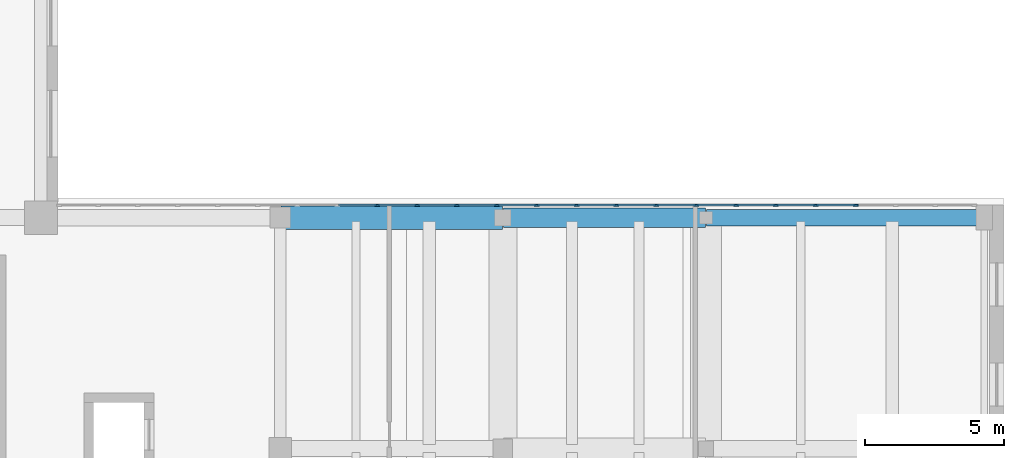
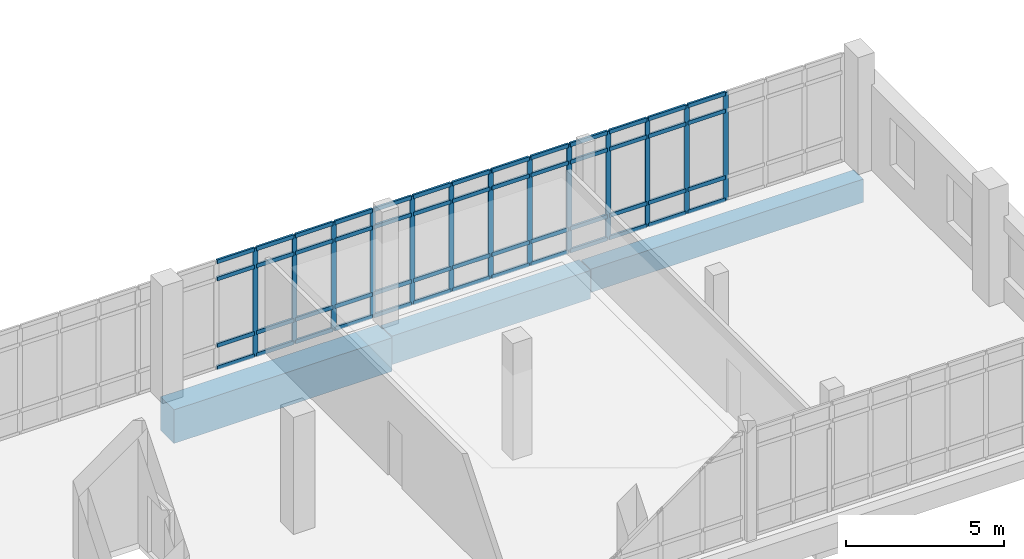
# One storey, part 41 of 89: 65 members, 3 beams, 1 element without a shape of its own.
"""IFC4 building model written with IfcOpenShell, lengths in metres."""

from ifc_helpers import new_model, si_unit, direction, frame, origin, origin_2d, place, context, subcontext, project, spatial, rectangle, extrude, material, material_profile, profile_set, type_object, element, aggregate, save


model = new_model("IFC4")

# Units and contexts
model_context = context("Model", 3, precision=1e-05, world=origin(), true_north=direction((0.0, 1.0)))
body_context = subcontext(model_context, "Body", "Model", "MODEL_VIEW")
ifc_project = project(units=[si_unit("LENGTHUNIT", "METRE"), si_unit("AREAUNIT", "SQUARE_METRE"), si_unit("VOLUMEUNIT", "CUBIC_METRE"), si_unit("PLANEANGLEUNIT", "RADIAN"), si_unit("MASSUNIT", "GRAM", prefix="KILO")], contexts=[model_context])

# Site, building, storey
site_placement = place(None, origin())
site = spatial("IfcSite", under=ifc_project, at=site_placement, CompositionType="ELEMENT")
building_placement = place(site_placement, origin())
building = spatial("IfcBuilding", under=site, at=building_placement, Name="Soyqirgoq Riverine Aquarium", CompositionType="ELEMENT")
storey_placement = place(building_placement, frame((0.0, 0.0, 5.39990234375)))
storey = spatial("IfcBuildingStorey", under=building, at=storey_placement, Name="L02", CompositionType="ELEMENT", Elevation=5.39990234375)

# Curtain wall, members
ifc_material_1 = material(Name="Anodised aluminium thermally broken gallery curtain wall", Category="aluminium")
curtain_wall_type = type_object("IfcCurtainWallType", Name="CW_Pavilion_Ribbon", PredefinedType="NOTDEFINED", material=ifc_material_1)
curtain_wall_placement = place(storey_placement, origin())
curtain_wall = element("IfcCurtainWall", 1, at=curtain_wall_placement, inside=storey, type_object=curtain_wall_type, Name="V6 L02 Curtain Wall 112", PredefinedType="NOTDEFINED")
ifc_material_2 = material(Name="Anodised aluminium 6063-T6", Category="aluminium")
ifc_material_profile_1 = material_profile(ifc_material_2, rectangle(XDim=0.06494140625, YDim=0.179931640625, at=origin_2d()), Name="ALU-M 65x180")
ifc_profile_set_1 = profile_set([ifc_material_profile_1], Name="Anodised aluminium 6063-T6")
member_type_1 = type_object("IfcMemberType", Name="CWMullion_65x180", PredefinedType="MULLION", material=ifc_profile_set_1)
member_1_placement = place(storey_placement, frame((141.484375, 18.25, 0.0), z_axis=(0.0, 0.0, 1.0), x_axis=(0.0, 1.0, 0.0)))
member_1 = element("IfcMember", 2, at=member_1_placement, type_object=member_type_1, Name="CW-05 mullion 9", PredefinedType="MULLION", context=body_context, shape_type="SweptSolid", body=[
    extrude(rectangle(XDim=0.06494140625, YDim=0.179931640625, at=origin_2d()), origin(), (0.0, 0.0, 1.0), 4.170166015625),
])
member_2_placement = place(storey_placement, frame((142.91748046875, 18.25, 0.0), z_axis=(0.0, 0.0, 1.0), x_axis=(0.0, 1.0, 0.0)))
member_2 = element("IfcMember", 3, at=member_2_placement, type_object=member_type_1, Name="CW-05 mullion 10", PredefinedType="MULLION", context=body_context, shape_type="SweptSolid", body=[
    extrude(rectangle(XDim=0.06494140625, YDim=0.179931640625, at=origin_2d()), origin(), (0.0, 0.0, 1.0), 4.170166015625),
])
member_3_placement = place(storey_placement, frame((144.350341796875, 18.25, 0.0), z_axis=(0.0, 0.0, 1.0), x_axis=(0.0, 1.0, 0.0)))
member_3 = element("IfcMember", 4, at=member_3_placement, type_object=member_type_1, Name="CW-05 mullion 11", PredefinedType="MULLION", context=body_context, shape_type="SweptSolid", body=[
    extrude(rectangle(XDim=0.06494140625, YDim=0.179931640625, at=origin_2d()), origin(), (0.0, 0.0, 1.0), 4.170166015625),
])
member_4_placement = place(storey_placement, frame((145.783447265625, 18.25, 0.0), z_axis=(0.0, 0.0, 1.0), x_axis=(0.0, 1.0, 0.0)))
member_4 = element("IfcMember", 5, at=member_4_placement, type_object=member_type_1, Name="CW-05 mullion 12", PredefinedType="MULLION", context=body_context, shape_type="SweptSolid", body=[
    extrude(rectangle(XDim=0.06494140625, YDim=0.179931640625, at=origin_2d()), origin(), (0.0, 0.0, 1.0), 4.170166015625),
])
member_5_placement = place(storey_placement, frame((147.216552734375, 18.25, 0.0), z_axis=(0.0, 0.0, 1.0), x_axis=(0.0, 1.0, 0.0)))
member_5 = element("IfcMember", 6, at=member_5_placement, type_object=member_type_1, Name="CW-05 mullion 13", PredefinedType="MULLION", context=body_context, shape_type="SweptSolid", body=[
    extrude(rectangle(XDim=0.06494140625, YDim=0.179931640625, at=origin_2d()), origin(), (0.0, 0.0, 1.0), 4.170166015625),
])
member_6_placement = place(storey_placement, frame((148.649658203125, 18.25, 0.0), z_axis=(0.0, 0.0, 1.0), x_axis=(0.0, 1.0, 0.0)))
member_6 = element("IfcMember", 7, at=member_6_placement, type_object=member_type_1, Name="CW-05 mullion 14", PredefinedType="MULLION", context=body_context, shape_type="SweptSolid", body=[
    extrude(rectangle(XDim=0.06494140625, YDim=0.179931640625, at=origin_2d()), origin(), (0.0, 0.0, 1.0), 4.170166015625),
])
member_7_placement = place(storey_placement, frame((150.08251953125, 18.25, 0.0), z_axis=(0.0, 0.0, 1.0), x_axis=(0.0, 1.0, 0.0)))
member_7 = element("IfcMember", 8, at=member_7_placement, type_object=member_type_1, Name="CW-05 mullion 15", PredefinedType="MULLION", context=body_context, shape_type="SweptSolid", body=[
    extrude(rectangle(XDim=0.06494140625, YDim=0.179931640625, at=origin_2d()), origin(), (0.0, 0.0, 1.0), 4.170166015625),
])
member_8_placement = place(storey_placement, frame((151.515625, 18.25, 0.0), z_axis=(0.0, 0.0, 1.0), x_axis=(0.0, 1.0, 0.0)))
member_8 = element("IfcMember", 9, at=member_8_placement, type_object=member_type_1, Name="CW-05 mullion 16", PredefinedType="MULLION", context=body_context, shape_type="SweptSolid", body=[
    extrude(rectangle(XDim=0.06494140625, YDim=0.179931640625, at=origin_2d()), origin(), (0.0, 0.0, 1.0), 4.170166015625),
])
member_9_placement = place(storey_placement, frame((152.94873046875, 18.25, 0.0), z_axis=(0.0, 0.0, 1.0), x_axis=(0.0, 1.0, 0.0)))
member_9 = element("IfcMember", 10, at=member_9_placement, type_object=member_type_1, Name="CW-05 mullion 17", PredefinedType="MULLION", context=body_context, shape_type="SweptSolid", body=[
    extrude(rectangle(XDim=0.06494140625, YDim=0.179931640625, at=origin_2d()), origin(), (0.0, 0.0, 1.0), 4.170166015625),
])
member_10_placement = place(storey_placement, frame((154.3818359375, 18.25, 0.0), z_axis=(0.0, 0.0, 1.0), x_axis=(0.0, 1.0, 0.0)))
member_10 = element("IfcMember", 11, at=member_10_placement, type_object=member_type_1, Name="CW-05 mullion 18", PredefinedType="MULLION", context=body_context, shape_type="SweptSolid", body=[
    extrude(rectangle(XDim=0.06494140625, YDim=0.179931640625, at=origin_2d()), origin(), (0.0, 0.0, 1.0), 4.170166015625),
])
member_11_placement = place(storey_placement, frame((155.814697265625, 18.25, 0.0), z_axis=(0.0, 0.0, 1.0), x_axis=(0.0, 1.0, 0.0)))
member_11 = element("IfcMember", 12, at=member_11_placement, type_object=member_type_1, Name="CW-05 mullion 19", PredefinedType="MULLION", context=body_context, shape_type="SweptSolid", body=[
    extrude(rectangle(XDim=0.06494140625, YDim=0.179931640625, at=origin_2d()), origin(), (0.0, 0.0, 1.0), 4.170166015625),
])
member_12_placement = place(storey_placement, frame((157.247802734375, 18.25, 0.0), z_axis=(0.0, 0.0, 1.0), x_axis=(0.0, 1.0, 0.0)))
member_12 = element("IfcMember", 13, at=member_12_placement, type_object=member_type_1, Name="CW-05 mullion 20", PredefinedType="MULLION", context=body_context, shape_type="SweptSolid", body=[
    extrude(rectangle(XDim=0.06494140625, YDim=0.179931640625, at=origin_2d()), origin(), (0.0, 0.0, 1.0), 4.170166015625),
])
member_13_placement = place(storey_placement, frame((158.680908203125, 18.25, 0.0), z_axis=(0.0, 0.0, 1.0), x_axis=(0.0, 1.0, 0.0)))
member_13 = element("IfcMember", 14, at=member_13_placement, type_object=member_type_1, Name="CW-05 mullion 21", PredefinedType="MULLION", context=body_context, shape_type="SweptSolid", body=[
    extrude(rectangle(XDim=0.06494140625, YDim=0.179931640625, at=origin_2d()), origin(), (0.0, 0.0, 1.0), 4.170166015625),
])
ifc_material_3 = material(Name="Anodised aluminium 6063-T6", Category="aluminium")
ifc_material_profile_2 = material_profile(ifc_material_3, rectangle(XDim=0.074951171875, YDim=0.14990234375, at=origin_2d()), Name="ALU-T 75x150")
ifc_profile_set_2 = profile_set([ifc_material_profile_2], Name="Anodised aluminium 6063-T6")
member_type_2 = type_object("IfcMemberType", Name="CWTransom_75x150", PredefinedType="USERDEFINED", material=ifc_profile_set_2)
member_14_placement = place(storey_placement, frame((140.083740234375, 18.25, 0.03759765625), z_axis=(1.0, 0.0, 0.0), x_axis=(0.0, 1.0, 0.0)))
member_14 = element("IfcMember", 15, at=member_14_placement, type_object=member_type_2, Name="CW-05 transom 8.1", ObjectType="TRANSOM", PredefinedType="USERDEFINED", context=body_context, shape_type="SweptSolid", body=[
    extrude(rectangle(XDim=0.074951171875, YDim=0.14990234375, at=origin_2d()), origin(), (0.0, 0.0, 1.0), 1.3681640625),
])
member_15_placement = place(storey_placement, frame((140.083740234375, 18.25, 0.900146484375), z_axis=(1.0, 0.0, 0.0), x_axis=(0.0, 1.0, 0.0)))
member_15 = element("IfcMember", 16, at=member_15_placement, type_object=member_type_2, Name="CW-05 transom 8.2", ObjectType="TRANSOM", PredefinedType="USERDEFINED", context=body_context, shape_type="SweptSolid", body=[
    extrude(rectangle(XDim=0.074951171875, YDim=0.14990234375, at=origin_2d()), origin(), (0.0, 0.0, 1.0), 1.3681640625),
])
member_16_placement = place(storey_placement, frame((140.083740234375, 18.25, 3.47021484375), z_axis=(1.0, 0.0, 0.0), x_axis=(0.0, 1.0, 0.0)))
member_16 = element("IfcMember", 17, at=member_16_placement, type_object=member_type_2, Name="CW-05 transom 8.3", ObjectType="TRANSOM", PredefinedType="USERDEFINED", context=body_context, shape_type="SweptSolid", body=[
    extrude(rectangle(XDim=0.074951171875, YDim=0.14990234375, at=origin_2d()), origin(), (0.0, 0.0, 1.0), 1.3681640625),
])
member_17_placement = place(storey_placement, frame((140.083740234375, 18.25, 4.132568359375), z_axis=(1.0, 0.0, 0.0), x_axis=(0.0, 1.0, 0.0)))
member_17 = element("IfcMember", 18, at=member_17_placement, type_object=member_type_2, Name="CW-05 transom 8.4", ObjectType="TRANSOM", PredefinedType="USERDEFINED", context=body_context, shape_type="SweptSolid", body=[
    extrude(rectangle(XDim=0.074951171875, YDim=0.14990234375, at=origin_2d()), origin(), (0.0, 0.0, 1.0), 1.3681640625),
])
member_18_placement = place(storey_placement, frame((141.516845703125, 18.25, 0.03759765625), z_axis=(1.0, 0.0, 0.0), x_axis=(0.0, 1.0, 0.0)))
member_18 = element("IfcMember", 19, at=member_18_placement, type_object=member_type_2, Name="CW-05 transom 9.1", ObjectType="TRANSOM", PredefinedType="USERDEFINED", context=body_context, shape_type="SweptSolid", body=[
    extrude(rectangle(XDim=0.074951171875, YDim=0.14990234375, at=origin_2d()), origin(), (0.0, 0.0, 1.0), 1.3681640625),
])
member_19_placement = place(storey_placement, frame((141.516845703125, 18.25, 0.900146484375), z_axis=(1.0, 0.0, 0.0), x_axis=(0.0, 1.0, 0.0)))
member_19 = element("IfcMember", 20, at=member_19_placement, type_object=member_type_2, Name="CW-05 transom 9.2", ObjectType="TRANSOM", PredefinedType="USERDEFINED", context=body_context, shape_type="SweptSolid", body=[
    extrude(rectangle(XDim=0.074951171875, YDim=0.14990234375, at=origin_2d()), origin(), (0.0, 0.0, 1.0), 1.3681640625),
])
member_20_placement = place(storey_placement, frame((141.516845703125, 18.25, 3.47021484375), z_axis=(1.0, 0.0, 0.0), x_axis=(0.0, 1.0, 0.0)))
member_20 = element("IfcMember", 21, at=member_20_placement, type_object=member_type_2, Name="CW-05 transom 9.3", ObjectType="TRANSOM", PredefinedType="USERDEFINED", context=body_context, shape_type="SweptSolid", body=[
    extrude(rectangle(XDim=0.074951171875, YDim=0.14990234375, at=origin_2d()), origin(), (0.0, 0.0, 1.0), 1.3681640625),
])
member_21_placement = place(storey_placement, frame((141.516845703125, 18.25, 4.132568359375), z_axis=(1.0, 0.0, 0.0), x_axis=(0.0, 1.0, 0.0)))
member_21 = element("IfcMember", 22, at=member_21_placement, type_object=member_type_2, Name="CW-05 transom 9.4", ObjectType="TRANSOM", PredefinedType="USERDEFINED", context=body_context, shape_type="SweptSolid", body=[
    extrude(rectangle(XDim=0.074951171875, YDim=0.14990234375, at=origin_2d()), origin(), (0.0, 0.0, 1.0), 1.3681640625),
])
member_22_placement = place(storey_placement, frame((142.949951171875, 18.25, 0.03759765625), z_axis=(1.0, 0.0, 0.0), x_axis=(0.0, 1.0, 0.0)))
member_22 = element("IfcMember", 23, at=member_22_placement, type_object=member_type_2, Name="CW-05 transom 10.1", ObjectType="TRANSOM", PredefinedType="USERDEFINED", context=body_context, shape_type="SweptSolid", body=[
    extrude(rectangle(XDim=0.074951171875, YDim=0.14990234375, at=origin_2d()), origin(), (0.0, 0.0, 1.0), 1.367919921875),
])
member_23_placement = place(storey_placement, frame((142.949951171875, 18.25, 0.900146484375), z_axis=(1.0, 0.0, 0.0), x_axis=(0.0, 1.0, 0.0)))
member_23 = element("IfcMember", 24, at=member_23_placement, type_object=member_type_2, Name="CW-05 transom 10.2", ObjectType="TRANSOM", PredefinedType="USERDEFINED", context=body_context, shape_type="SweptSolid", body=[
    extrude(rectangle(XDim=0.074951171875, YDim=0.14990234375, at=origin_2d()), origin(), (0.0, 0.0, 1.0), 1.367919921875),
])
member_24_placement = place(storey_placement, frame((142.949951171875, 18.25, 3.47021484375), z_axis=(1.0, 0.0, 0.0), x_axis=(0.0, 1.0, 0.0)))
member_24 = element("IfcMember", 25, at=member_24_placement, type_object=member_type_2, Name="CW-05 transom 10.3", ObjectType="TRANSOM", PredefinedType="USERDEFINED", context=body_context, shape_type="SweptSolid", body=[
    extrude(rectangle(XDim=0.074951171875, YDim=0.14990234375, at=origin_2d()), origin(), (0.0, 0.0, 1.0), 1.367919921875),
])
member_25_placement = place(storey_placement, frame((142.949951171875, 18.25, 4.132568359375), z_axis=(1.0, 0.0, 0.0), x_axis=(0.0, 1.0, 0.0)))
member_25 = element("IfcMember", 26, at=member_25_placement, type_object=member_type_2, Name="CW-05 transom 10.4", ObjectType="TRANSOM", PredefinedType="USERDEFINED", context=body_context, shape_type="SweptSolid", body=[
    extrude(rectangle(XDim=0.074951171875, YDim=0.14990234375, at=origin_2d()), origin(), (0.0, 0.0, 1.0), 1.367919921875),
])
member_26_placement = place(storey_placement, frame((144.383056640625, 18.25, 0.03759765625), z_axis=(1.0, 0.0, 0.0), x_axis=(0.0, 1.0, 0.0)))
member_26 = element("IfcMember", 27, at=member_26_placement, type_object=member_type_2, Name="CW-05 transom 11.1", ObjectType="TRANSOM", PredefinedType="USERDEFINED", context=body_context, shape_type="SweptSolid", body=[
    extrude(rectangle(XDim=0.074951171875, YDim=0.14990234375, at=origin_2d()), origin(), (0.0, 0.0, 1.0), 1.367919921875),
])
member_27_placement = place(storey_placement, frame((144.383056640625, 18.25, 0.900146484375), z_axis=(1.0, 0.0, 0.0), x_axis=(0.0, 1.0, 0.0)))
member_27 = element("IfcMember", 28, at=member_27_placement, type_object=member_type_2, Name="CW-05 transom 11.2", ObjectType="TRANSOM", PredefinedType="USERDEFINED", context=body_context, shape_type="SweptSolid", body=[
    extrude(rectangle(XDim=0.074951171875, YDim=0.14990234375, at=origin_2d()), origin(), (0.0, 0.0, 1.0), 1.367919921875),
])
member_28_placement = place(storey_placement, frame((144.383056640625, 18.25, 3.47021484375), z_axis=(1.0, 0.0, 0.0), x_axis=(0.0, 1.0, 0.0)))
member_28 = element("IfcMember", 29, at=member_28_placement, type_object=member_type_2, Name="CW-05 transom 11.3", ObjectType="TRANSOM", PredefinedType="USERDEFINED", context=body_context, shape_type="SweptSolid", body=[
    extrude(rectangle(XDim=0.074951171875, YDim=0.14990234375, at=origin_2d()), origin(), (0.0, 0.0, 1.0), 1.367919921875),
])
member_29_placement = place(storey_placement, frame((144.383056640625, 18.25, 4.132568359375), z_axis=(1.0, 0.0, 0.0), x_axis=(0.0, 1.0, 0.0)))
member_29 = element("IfcMember", 30, at=member_29_placement, type_object=member_type_2, Name="CW-05 transom 11.4", ObjectType="TRANSOM", PredefinedType="USERDEFINED", context=body_context, shape_type="SweptSolid", body=[
    extrude(rectangle(XDim=0.074951171875, YDim=0.14990234375, at=origin_2d()), origin(), (0.0, 0.0, 1.0), 1.367919921875),
])
member_30_placement = place(storey_placement, frame((145.81591796875, 18.25, 0.03759765625), z_axis=(1.0, 0.0, 0.0), x_axis=(0.0, 1.0, 0.0)))
member_30 = element("IfcMember", 31, at=member_30_placement, type_object=member_type_2, Name="CW-05 transom 12.1", ObjectType="TRANSOM", PredefinedType="USERDEFINED", context=body_context, shape_type="SweptSolid", body=[
    extrude(rectangle(XDim=0.074951171875, YDim=0.14990234375, at=origin_2d()), origin(), (0.0, 0.0, 1.0), 1.3681640625),
])
member_31_placement = place(storey_placement, frame((145.81591796875, 18.25, 0.900146484375), z_axis=(1.0, 0.0, 0.0), x_axis=(0.0, 1.0, 0.0)))
member_31 = element("IfcMember", 32, at=member_31_placement, type_object=member_type_2, Name="CW-05 transom 12.2", ObjectType="TRANSOM", PredefinedType="USERDEFINED", context=body_context, shape_type="SweptSolid", body=[
    extrude(rectangle(XDim=0.074951171875, YDim=0.14990234375, at=origin_2d()), origin(), (0.0, 0.0, 1.0), 1.3681640625),
])
member_32_placement = place(storey_placement, frame((145.81591796875, 18.25, 3.47021484375), z_axis=(1.0, 0.0, 0.0), x_axis=(0.0, 1.0, 0.0)))
member_32 = element("IfcMember", 33, at=member_32_placement, type_object=member_type_2, Name="CW-05 transom 12.3", ObjectType="TRANSOM", PredefinedType="USERDEFINED", context=body_context, shape_type="SweptSolid", body=[
    extrude(rectangle(XDim=0.074951171875, YDim=0.14990234375, at=origin_2d()), origin(), (0.0, 0.0, 1.0), 1.3681640625),
])
member_33_placement = place(storey_placement, frame((145.81591796875, 18.25, 4.132568359375), z_axis=(1.0, 0.0, 0.0), x_axis=(0.0, 1.0, 0.0)))
member_33 = element("IfcMember", 34, at=member_33_placement, type_object=member_type_2, Name="CW-05 transom 12.4", ObjectType="TRANSOM", PredefinedType="USERDEFINED", context=body_context, shape_type="SweptSolid", body=[
    extrude(rectangle(XDim=0.074951171875, YDim=0.14990234375, at=origin_2d()), origin(), (0.0, 0.0, 1.0), 1.3681640625),
])
member_34_placement = place(storey_placement, frame((147.2490234375, 18.25, 0.03759765625), z_axis=(1.0, 0.0, 0.0), x_axis=(0.0, 1.0, 0.0)))
member_34 = element("IfcMember", 35, at=member_34_placement, type_object=member_type_2, Name="CW-05 transom 13.1", ObjectType="TRANSOM", PredefinedType="USERDEFINED", context=body_context, shape_type="SweptSolid", body=[
    extrude(rectangle(XDim=0.074951171875, YDim=0.14990234375, at=origin_2d()), origin(), (0.0, 0.0, 1.0), 1.367919921875),
])
member_35_placement = place(storey_placement, frame((147.2490234375, 18.25, 0.900146484375), z_axis=(1.0, 0.0, 0.0), x_axis=(0.0, 1.0, 0.0)))
member_35 = element("IfcMember", 36, at=member_35_placement, type_object=member_type_2, Name="CW-05 transom 13.2", ObjectType="TRANSOM", PredefinedType="USERDEFINED", context=body_context, shape_type="SweptSolid", body=[
    extrude(rectangle(XDim=0.074951171875, YDim=0.14990234375, at=origin_2d()), origin(), (0.0, 0.0, 1.0), 1.367919921875),
])
member_36_placement = place(storey_placement, frame((147.2490234375, 18.25, 3.47021484375), z_axis=(1.0, 0.0, 0.0), x_axis=(0.0, 1.0, 0.0)))
member_36 = element("IfcMember", 37, at=member_36_placement, type_object=member_type_2, Name="CW-05 transom 13.3", ObjectType="TRANSOM", PredefinedType="USERDEFINED", context=body_context, shape_type="SweptSolid", body=[
    extrude(rectangle(XDim=0.074951171875, YDim=0.14990234375, at=origin_2d()), origin(), (0.0, 0.0, 1.0), 1.367919921875),
])
member_37_placement = place(storey_placement, frame((147.2490234375, 18.25, 4.132568359375), z_axis=(1.0, 0.0, 0.0), x_axis=(0.0, 1.0, 0.0)))
member_37 = element("IfcMember", 38, at=member_37_placement, type_object=member_type_2, Name="CW-05 transom 13.4", ObjectType="TRANSOM", PredefinedType="USERDEFINED", context=body_context, shape_type="SweptSolid", body=[
    extrude(rectangle(XDim=0.074951171875, YDim=0.14990234375, at=origin_2d()), origin(), (0.0, 0.0, 1.0), 1.367919921875),
])
member_38_placement = place(storey_placement, frame((148.68212890625, 18.25, 0.03759765625), z_axis=(1.0, 0.0, 0.0), x_axis=(0.0, 1.0, 0.0)))
member_38 = element("IfcMember", 39, at=member_38_placement, type_object=member_type_2, Name="CW-05 transom 14.1", ObjectType="TRANSOM", PredefinedType="USERDEFINED", context=body_context, shape_type="SweptSolid", body=[
    extrude(rectangle(XDim=0.074951171875, YDim=0.14990234375, at=origin_2d()), origin(), (0.0, 0.0, 1.0), 1.367919921875),
])
member_39_placement = place(storey_placement, frame((148.68212890625, 18.25, 0.900146484375), z_axis=(1.0, 0.0, 0.0), x_axis=(0.0, 1.0, 0.0)))
member_39 = element("IfcMember", 40, at=member_39_placement, type_object=member_type_2, Name="CW-05 transom 14.2", ObjectType="TRANSOM", PredefinedType="USERDEFINED", context=body_context, shape_type="SweptSolid", body=[
    extrude(rectangle(XDim=0.074951171875, YDim=0.14990234375, at=origin_2d()), origin(), (0.0, 0.0, 1.0), 1.367919921875),
])
member_40_placement = place(storey_placement, frame((148.68212890625, 18.25, 3.47021484375), z_axis=(1.0, 0.0, 0.0), x_axis=(0.0, 1.0, 0.0)))
member_40 = element("IfcMember", 41, at=member_40_placement, type_object=member_type_2, Name="CW-05 transom 14.3", ObjectType="TRANSOM", PredefinedType="USERDEFINED", context=body_context, shape_type="SweptSolid", body=[
    extrude(rectangle(XDim=0.074951171875, YDim=0.14990234375, at=origin_2d()), origin(), (0.0, 0.0, 1.0), 1.367919921875),
])
member_41_placement = place(storey_placement, frame((148.68212890625, 18.25, 4.132568359375), z_axis=(1.0, 0.0, 0.0), x_axis=(0.0, 1.0, 0.0)))
member_41 = element("IfcMember", 42, at=member_41_placement, type_object=member_type_2, Name="CW-05 transom 14.4", ObjectType="TRANSOM", PredefinedType="USERDEFINED", context=body_context, shape_type="SweptSolid", body=[
    extrude(rectangle(XDim=0.074951171875, YDim=0.14990234375, at=origin_2d()), origin(), (0.0, 0.0, 1.0), 1.367919921875),
])
member_42_placement = place(storey_placement, frame((150.114990234375, 18.25, 0.03759765625), z_axis=(1.0, 0.0, 0.0), x_axis=(0.0, 1.0, 0.0)))
member_42 = element("IfcMember", 43, at=member_42_placement, type_object=member_type_2, Name="CW-05 transom 15.1", ObjectType="TRANSOM", PredefinedType="USERDEFINED", context=body_context, shape_type="SweptSolid", body=[
    extrude(rectangle(XDim=0.074951171875, YDim=0.14990234375, at=origin_2d()), origin(), (0.0, 0.0, 1.0), 1.3681640625),
])
member_43_placement = place(storey_placement, frame((150.114990234375, 18.25, 0.900146484375), z_axis=(1.0, 0.0, 0.0), x_axis=(0.0, 1.0, 0.0)))
member_43 = element("IfcMember", 44, at=member_43_placement, type_object=member_type_2, Name="CW-05 transom 15.2", ObjectType="TRANSOM", PredefinedType="USERDEFINED", context=body_context, shape_type="SweptSolid", body=[
    extrude(rectangle(XDim=0.074951171875, YDim=0.14990234375, at=origin_2d()), origin(), (0.0, 0.0, 1.0), 1.3681640625),
])
member_44_placement = place(storey_placement, frame((150.114990234375, 18.25, 3.47021484375), z_axis=(1.0, 0.0, 0.0), x_axis=(0.0, 1.0, 0.0)))
member_44 = element("IfcMember", 45, at=member_44_placement, type_object=member_type_2, Name="CW-05 transom 15.3", ObjectType="TRANSOM", PredefinedType="USERDEFINED", context=body_context, shape_type="SweptSolid", body=[
    extrude(rectangle(XDim=0.074951171875, YDim=0.14990234375, at=origin_2d()), origin(), (0.0, 0.0, 1.0), 1.3681640625),
])
member_45_placement = place(storey_placement, frame((150.114990234375, 18.25, 4.132568359375), z_axis=(1.0, 0.0, 0.0), x_axis=(0.0, 1.0, 0.0)))
member_45 = element("IfcMember", 46, at=member_45_placement, type_object=member_type_2, Name="CW-05 transom 15.4", ObjectType="TRANSOM", PredefinedType="USERDEFINED", context=body_context, shape_type="SweptSolid", body=[
    extrude(rectangle(XDim=0.074951171875, YDim=0.14990234375, at=origin_2d()), origin(), (0.0, 0.0, 1.0), 1.3681640625),
])
member_46_placement = place(storey_placement, frame((151.548095703125, 18.25, 0.03759765625), z_axis=(1.0, 0.0, 0.0), x_axis=(0.0, 1.0, 0.0)))
member_46 = element("IfcMember", 47, at=member_46_placement, type_object=member_type_2, Name="CW-05 transom 16.1", ObjectType="TRANSOM", PredefinedType="USERDEFINED", context=body_context, shape_type="SweptSolid", body=[
    extrude(rectangle(XDim=0.074951171875, YDim=0.14990234375, at=origin_2d()), origin(), (0.0, 0.0, 1.0), 1.3681640625),
])
member_47_placement = place(storey_placement, frame((151.548095703125, 18.25, 0.900146484375), z_axis=(1.0, 0.0, 0.0), x_axis=(0.0, 1.0, 0.0)))
member_47 = element("IfcMember", 48, at=member_47_placement, type_object=member_type_2, Name="CW-05 transom 16.2", ObjectType="TRANSOM", PredefinedType="USERDEFINED", context=body_context, shape_type="SweptSolid", body=[
    extrude(rectangle(XDim=0.074951171875, YDim=0.14990234375, at=origin_2d()), origin(), (0.0, 0.0, 1.0), 1.3681640625),
])
member_48_placement = place(storey_placement, frame((151.548095703125, 18.25, 3.47021484375), z_axis=(1.0, 0.0, 0.0), x_axis=(0.0, 1.0, 0.0)))
member_48 = element("IfcMember", 49, at=member_48_placement, type_object=member_type_2, Name="CW-05 transom 16.3", ObjectType="TRANSOM", PredefinedType="USERDEFINED", context=body_context, shape_type="SweptSolid", body=[
    extrude(rectangle(XDim=0.074951171875, YDim=0.14990234375, at=origin_2d()), origin(), (0.0, 0.0, 1.0), 1.3681640625),
])
member_49_placement = place(storey_placement, frame((151.548095703125, 18.25, 4.132568359375), z_axis=(1.0, 0.0, 0.0), x_axis=(0.0, 1.0, 0.0)))
member_49 = element("IfcMember", 50, at=member_49_placement, type_object=member_type_2, Name="CW-05 transom 16.4", ObjectType="TRANSOM", PredefinedType="USERDEFINED", context=body_context, shape_type="SweptSolid", body=[
    extrude(rectangle(XDim=0.074951171875, YDim=0.14990234375, at=origin_2d()), origin(), (0.0, 0.0, 1.0), 1.3681640625),
])
member_50_placement = place(storey_placement, frame((152.981201171875, 18.25, 0.03759765625), z_axis=(1.0, 0.0, 0.0), x_axis=(0.0, 1.0, 0.0)))
member_50 = element("IfcMember", 51, at=member_50_placement, type_object=member_type_2, Name="CW-05 transom 17.1", ObjectType="TRANSOM", PredefinedType="USERDEFINED", context=body_context, shape_type="SweptSolid", body=[
    extrude(rectangle(XDim=0.074951171875, YDim=0.14990234375, at=origin_2d()), origin(), (0.0, 0.0, 1.0), 1.367919921875),
])
member_51_placement = place(storey_placement, frame((152.981201171875, 18.25, 0.900146484375), z_axis=(1.0, 0.0, 0.0), x_axis=(0.0, 1.0, 0.0)))
member_51 = element("IfcMember", 52, at=member_51_placement, type_object=member_type_2, Name="CW-05 transom 17.2", ObjectType="TRANSOM", PredefinedType="USERDEFINED", context=body_context, shape_type="SweptSolid", body=[
    extrude(rectangle(XDim=0.074951171875, YDim=0.14990234375, at=origin_2d()), origin(), (0.0, 0.0, 1.0), 1.367919921875),
])
member_52_placement = place(storey_placement, frame((152.981201171875, 18.25, 3.47021484375), z_axis=(1.0, 0.0, 0.0), x_axis=(0.0, 1.0, 0.0)))
member_52 = element("IfcMember", 53, at=member_52_placement, type_object=member_type_2, Name="CW-05 transom 17.3", ObjectType="TRANSOM", PredefinedType="USERDEFINED", context=body_context, shape_type="SweptSolid", body=[
    extrude(rectangle(XDim=0.074951171875, YDim=0.14990234375, at=origin_2d()), origin(), (0.0, 0.0, 1.0), 1.367919921875),
])
member_53_placement = place(storey_placement, frame((152.981201171875, 18.25, 4.132568359375), z_axis=(1.0, 0.0, 0.0), x_axis=(0.0, 1.0, 0.0)))
member_53 = element("IfcMember", 54, at=member_53_placement, type_object=member_type_2, Name="CW-05 transom 17.4", ObjectType="TRANSOM", PredefinedType="USERDEFINED", context=body_context, shape_type="SweptSolid", body=[
    extrude(rectangle(XDim=0.074951171875, YDim=0.14990234375, at=origin_2d()), origin(), (0.0, 0.0, 1.0), 1.367919921875),
])
member_54_placement = place(storey_placement, frame((154.414306640625, 18.25, 0.03759765625), z_axis=(1.0, 0.0, 0.0), x_axis=(0.0, 1.0, 0.0)))
member_54 = element("IfcMember", 55, at=member_54_placement, type_object=member_type_2, Name="CW-05 transom 18.1", ObjectType="TRANSOM", PredefinedType="USERDEFINED", context=body_context, shape_type="SweptSolid", body=[
    extrude(rectangle(XDim=0.074951171875, YDim=0.14990234375, at=origin_2d()), origin(), (0.0, 0.0, 1.0), 1.367919921875),
])
member_55_placement = place(storey_placement, frame((154.414306640625, 18.25, 0.900146484375), z_axis=(1.0, 0.0, 0.0), x_axis=(0.0, 1.0, 0.0)))
member_55 = element("IfcMember", 56, at=member_55_placement, type_object=member_type_2, Name="CW-05 transom 18.2", ObjectType="TRANSOM", PredefinedType="USERDEFINED", context=body_context, shape_type="SweptSolid", body=[
    extrude(rectangle(XDim=0.074951171875, YDim=0.14990234375, at=origin_2d()), origin(), (0.0, 0.0, 1.0), 1.367919921875),
])
member_56_placement = place(storey_placement, frame((154.414306640625, 18.25, 3.47021484375), z_axis=(1.0, 0.0, 0.0), x_axis=(0.0, 1.0, 0.0)))
member_56 = element("IfcMember", 57, at=member_56_placement, type_object=member_type_2, Name="CW-05 transom 18.3", ObjectType="TRANSOM", PredefinedType="USERDEFINED", context=body_context, shape_type="SweptSolid", body=[
    extrude(rectangle(XDim=0.074951171875, YDim=0.14990234375, at=origin_2d()), origin(), (0.0, 0.0, 1.0), 1.367919921875),
])
member_57_placement = place(storey_placement, frame((154.414306640625, 18.25, 4.132568359375), z_axis=(1.0, 0.0, 0.0), x_axis=(0.0, 1.0, 0.0)))
member_57 = element("IfcMember", 58, at=member_57_placement, type_object=member_type_2, Name="CW-05 transom 18.4", ObjectType="TRANSOM", PredefinedType="USERDEFINED", context=body_context, shape_type="SweptSolid", body=[
    extrude(rectangle(XDim=0.074951171875, YDim=0.14990234375, at=origin_2d()), origin(), (0.0, 0.0, 1.0), 1.367919921875),
])
member_58_placement = place(storey_placement, frame((155.84716796875, 18.25, 0.03759765625), z_axis=(1.0, 0.0, 0.0), x_axis=(0.0, 1.0, 0.0)))
member_58 = element("IfcMember", 59, at=member_58_placement, type_object=member_type_2, Name="CW-05 transom 19.1", ObjectType="TRANSOM", PredefinedType="USERDEFINED", context=body_context, shape_type="SweptSolid", body=[
    extrude(rectangle(XDim=0.074951171875, YDim=0.14990234375, at=origin_2d()), origin(), (0.0, 0.0, 1.0), 1.3681640625),
])
member_59_placement = place(storey_placement, frame((155.84716796875, 18.25, 0.900146484375), z_axis=(1.0, 0.0, 0.0), x_axis=(0.0, 1.0, 0.0)))
member_59 = element("IfcMember", 60, at=member_59_placement, type_object=member_type_2, Name="CW-05 transom 19.2", ObjectType="TRANSOM", PredefinedType="USERDEFINED", context=body_context, shape_type="SweptSolid", body=[
    extrude(rectangle(XDim=0.074951171875, YDim=0.14990234375, at=origin_2d()), origin(), (0.0, 0.0, 1.0), 1.3681640625),
])
member_60_placement = place(storey_placement, frame((155.84716796875, 18.25, 3.47021484375), z_axis=(1.0, 0.0, 0.0), x_axis=(0.0, 1.0, 0.0)))
member_60 = element("IfcMember", 61, at=member_60_placement, type_object=member_type_2, Name="CW-05 transom 19.3", ObjectType="TRANSOM", PredefinedType="USERDEFINED", context=body_context, shape_type="SweptSolid", body=[
    extrude(rectangle(XDim=0.074951171875, YDim=0.14990234375, at=origin_2d()), origin(), (0.0, 0.0, 1.0), 1.3681640625),
])
member_61_placement = place(storey_placement, frame((155.84716796875, 18.25, 4.132568359375), z_axis=(1.0, 0.0, 0.0), x_axis=(0.0, 1.0, 0.0)))
member_61 = element("IfcMember", 62, at=member_61_placement, type_object=member_type_2, Name="CW-05 transom 19.4", ObjectType="TRANSOM", PredefinedType="USERDEFINED", context=body_context, shape_type="SweptSolid", body=[
    extrude(rectangle(XDim=0.074951171875, YDim=0.14990234375, at=origin_2d()), origin(), (0.0, 0.0, 1.0), 1.3681640625),
])
member_62_placement = place(storey_placement, frame((157.2802734375, 18.25, 0.03759765625), z_axis=(1.0, 0.0, 0.0), x_axis=(0.0, 1.0, 0.0)))
member_62 = element("IfcMember", 63, at=member_62_placement, type_object=member_type_2, Name="CW-05 transom 20.1", ObjectType="TRANSOM", PredefinedType="USERDEFINED", context=body_context, shape_type="SweptSolid", body=[
    extrude(rectangle(XDim=0.074951171875, YDim=0.14990234375, at=origin_2d()), origin(), (0.0, 0.0, 1.0), 1.3681640625),
])
member_63_placement = place(storey_placement, frame((157.2802734375, 18.25, 0.900146484375), z_axis=(1.0, 0.0, 0.0), x_axis=(0.0, 1.0, 0.0)))
member_63 = element("IfcMember", 64, at=member_63_placement, type_object=member_type_2, Name="CW-05 transom 20.2", ObjectType="TRANSOM", PredefinedType="USERDEFINED", context=body_context, shape_type="SweptSolid", body=[
    extrude(rectangle(XDim=0.074951171875, YDim=0.14990234375, at=origin_2d()), origin(), (0.0, 0.0, 1.0), 1.3681640625),
])
member_64_placement = place(storey_placement, frame((157.2802734375, 18.25, 3.47021484375), z_axis=(1.0, 0.0, 0.0), x_axis=(0.0, 1.0, 0.0)))
member_64 = element("IfcMember", 65, at=member_64_placement, type_object=member_type_2, Name="CW-05 transom 20.3", ObjectType="TRANSOM", PredefinedType="USERDEFINED", context=body_context, shape_type="SweptSolid", body=[
    extrude(rectangle(XDim=0.074951171875, YDim=0.14990234375, at=origin_2d()), origin(), (0.0, 0.0, 1.0), 1.3681640625),
])
member_65_placement = place(storey_placement, frame((157.2802734375, 18.25, 4.132568359375), z_axis=(1.0, 0.0, 0.0), x_axis=(0.0, 1.0, 0.0)))
member_65 = element("IfcMember", 66, at=member_65_placement, type_object=member_type_2, Name="CW-05 transom 20.4", ObjectType="TRANSOM", PredefinedType="USERDEFINED", context=body_context, shape_type="SweptSolid", body=[
    extrude(rectangle(XDim=0.074951171875, YDim=0.14990234375, at=origin_2d()), origin(), (0.0, 0.0, 1.0), 1.3681640625),
])
aggregate(curtain_wall, [member_1, member_2, member_3, member_4, member_5, member_6, member_7, member_8, member_9, member_10, member_11, member_12, member_13, member_14, member_15, member_16, member_17, member_18, member_19, member_20, member_21, member_22, member_23, member_24, member_25, member_26, member_27, member_28, member_29, member_30, member_31, member_32, member_33, member_34, member_35, member_36, member_37, member_38, member_39, member_40, member_41, member_42, member_43, member_44, member_45, member_46, member_47, member_48, member_49, member_50, member_51, member_52, member_53, member_54, member_55, member_56, member_57, member_58, member_59, member_60, member_61, member_62, member_63, member_64, member_65])

# Beams
ifc_material_4 = material(Name="Concrete C40/50", Category="concrete")
ifc_material_profile_3 = material_profile(ifc_material_4, rectangle(XDim=0.60009765625, YDim=0.89990234375, at=origin_2d()), Name="RC 600x900")
ifc_profile_set_3 = profile_set([ifc_material_profile_3], Name="Concrete C40/50")
beam_type_1 = type_object("IfcBeamType", Name="Girder_RC_600x900", PredefinedType="BEAM", material=ifc_profile_set_3)
beam_1_placement = place(storey_placement, frame((153.320068359375, 17.800048828125, -0.7998046875), z_axis=(1.0, 0.0, 0.0), x_axis=(0.0, 1.0, 0.0)))
element("IfcBeam", 67, at=beam_1_placement, inside=storey, type_object=beam_type_1, Name="V6 L02 East-West Frame Girder 1123", PredefinedType="BEAM", context=body_context, shape_type="SweptSolid", body=[
    extrude(rectangle(XDim=0.60009765625, YDim=0.89990234375, at=origin_2d()), origin(), (0.0, 0.0, 1.0), 9.9599609375),
])
ifc_material_5 = material(Name="Concrete C40/50", Category="concrete")
ifc_material_profile_4 = material_profile(ifc_material_5, rectangle(XDim=0.699951171875, YDim=1.10009765625, at=origin_2d()), Name="RC 700x1100")
ifc_profile_set_4 = profile_set([ifc_material_profile_4], Name="Concrete C40/50")
beam_type_2 = type_object("IfcBeamType", Name="Girder_RC_700x1100", PredefinedType="BEAM", material=ifc_profile_set_4)
beam_2_placement = place(storey_placement, frame((146.02001953125, 17.800048828125, -0.89990234375), z_axis=(1.0, 0.0, 0.0), x_axis=(0.0, 1.0, 0.0)))
element("IfcBeam", 68, at=beam_2_placement, inside=storey, type_object=beam_type_2, Name="V6 L02 East-West Frame Girder 1120", PredefinedType="BEAM", context=body_context, shape_type="SweptSolid", body=[
    extrude(rectangle(XDim=0.699951171875, YDim=1.10009765625, at=origin_2d()), origin(), (0.0, 0.0, 1.0), 7.260009765625),
])
ifc_material_6 = material(Name="Concrete C40/50", Category="concrete")
ifc_material_profile_5 = material_profile(ifc_material_6, rectangle(XDim=0.85009765625, YDim=1.300048828125, at=origin_2d()), Name="RC 850x1300")
ifc_profile_set_5 = profile_set([ifc_material_profile_5], Name="Concrete C40/50")
beam_type_3 = type_object("IfcBeamType", Name="Girder_RC_850x1300", PredefinedType="BEAM", material=ifc_profile_set_5)
beam_3_placement = place(storey_placement, frame((138.02001953125, 17.800048828125, -1.0), z_axis=(1.0, 0.0, 0.0), x_axis=(0.0, 1.0, 0.0)))
element("IfcBeam", 69, at=beam_3_placement, inside=storey, type_object=beam_type_3, Name="V6 L02 East-West Frame Girder 1117", PredefinedType="BEAM", context=body_context, shape_type="SweptSolid", body=[
    extrude(rectangle(XDim=0.85009765625, YDim=1.300048828125, at=origin_2d()), origin(), (0.0, 0.0, 1.0), 7.9599609375),
])

save(model, "model.ifc")
